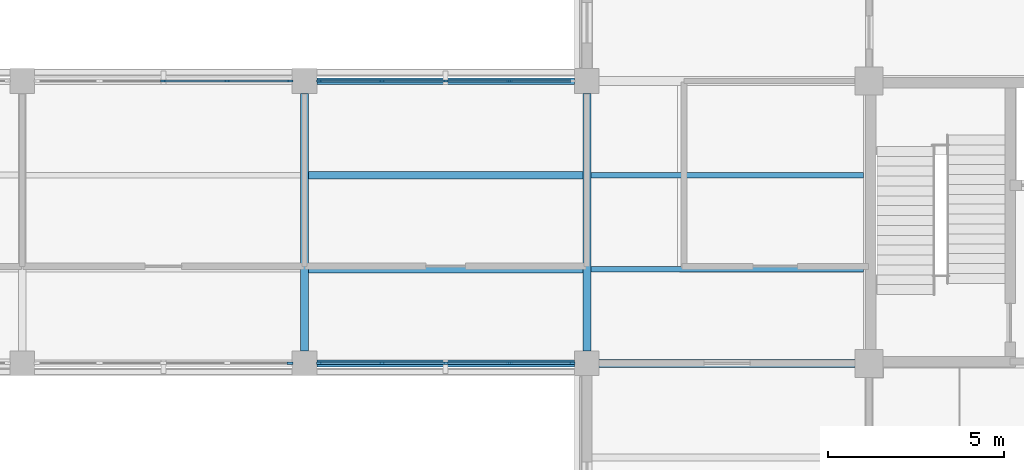
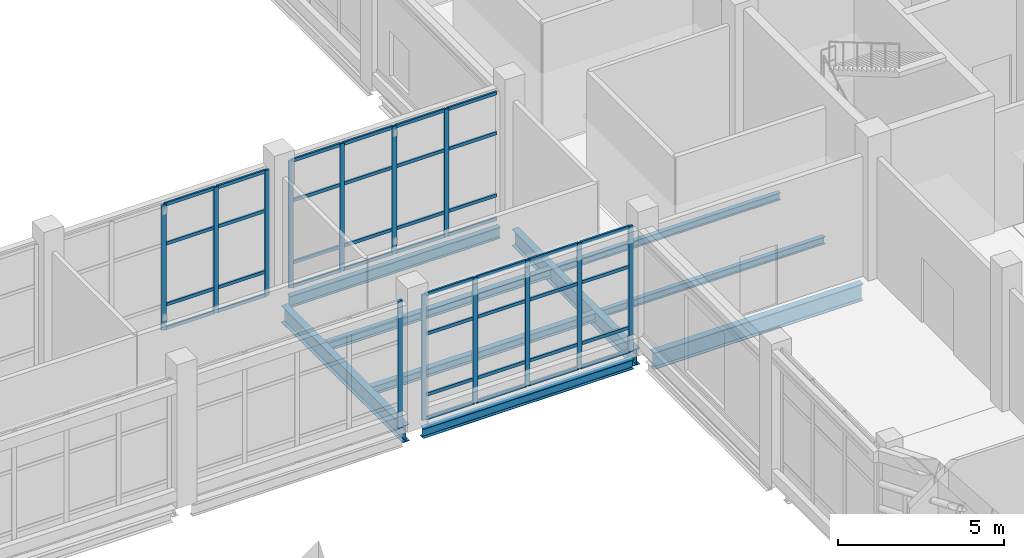
# One storey, part 16 of 105: 53 members, 9 beams, 4 elements without a shape of their own.
"""IFC4 building model written with IfcOpenShell, lengths in metres."""

from ifc_helpers import new_model, si_unit, derived_unit, direction, frame, origin, origin_2d, place, context, subcontext, project, spatial, rectangle, i_section, extrude, material, layer, layer_set, material_profile, profile_set, type_object, element, aggregate, save


model = new_model("IFC4")

# Units and contexts
model_context = context("Model", 3, precision=1e-05, world=origin(), true_north=direction((0.0, 1.0)))
body_context = subcontext(model_context, "Body", "Model", "MODEL_VIEW")
ifc_project = project(units=[si_unit("LENGTHUNIT", "METRE"), si_unit("AREAUNIT", "SQUARE_METRE"), si_unit("VOLUMEUNIT", "CUBIC_METRE"), si_unit("PLANEANGLEUNIT", "RADIAN"), si_unit("MASSUNIT", "GRAM", prefix="KILO"), derived_unit("THERMALTRANSMITTANCEUNIT", [(si_unit("MASSUNIT", "GRAM", prefix="KILO"), 1), (si_unit("TIMEUNIT", "SECOND"), -3), (si_unit("THERMODYNAMICTEMPERATUREUNIT", "KELVIN"), -1)])], contexts=[model_context])

# Site, building, storey
site_placement = place(None, origin())
site = spatial("IfcSite", under=ifc_project, at=site_placement, CompositionType="ELEMENT")
building_placement = place(site_placement, origin())
building = spatial("IfcBuilding", under=site, at=building_placement, Name="Veyamyaing Civic Hall", CompositionType="ELEMENT")
storey_placement = place(building_placement, origin())
storey = spatial("IfcBuildingStorey", under=building, at=storey_placement, Name="L00", CompositionType="ELEMENT", Elevation=0.0)

# Beams
ifc_material_1 = material(Name="Steel ASTM A992", Category="steel")
ifc_material_profile_1 = material_profile(ifc_material_1, i_section(OverallWidth=0.22998046875, OverallDepth=0.616943359375, WebThickness=0.01318359375, FlangeThickness=0.022216796875, FilletRadius=0.012939453125, at=origin_2d()), Name="W610X140")
ifc_profile_set_1 = profile_set([ifc_material_profile_1], Name="Steel ASTM A992")
beam_type_1 = type_object("IfcBeamType", Name="B-05", PredefinedType="BEAM", material=ifc_profile_set_1)
beam_1_placement = place(storey_placement, frame((56.35009765625, 48.0, -0.573486328125), z_axis=(1.0, 0.0, 0.0), x_axis=(0.0, 1.0, 0.0)))
element("IfcBeam", 1, at=beam_1_placement, inside=storey, type_object=beam_type_1, Name="Girder B-05 L00 Grid G 8-9", PredefinedType="BEAM", context=body_context, shape_type="SweptSolid", body=[
    extrude(i_section(OverallWidth=0.22998046875, OverallDepth=0.616943359375, WebThickness=0.01318359375, FlangeThickness=0.022216796875, FilletRadius=0.012939453125, at=origin_2d()), origin(), (0.0, 0.0, 1.0), 7.25),
])
beam_2_placement = place(storey_placement, frame((48.0, 48.35009765625, -0.573486328125), z_axis=(0.0, 1.0, 0.0), x_axis=(-1.0, 0.0, 0.0)))
element("IfcBeam", 2, at=beam_2_placement, inside=storey, type_object=beam_type_1, Name="Girder B-05 L00 Grid 7 G-H", PredefinedType="BEAM", context=body_context, shape_type="SweptSolid", body=[
    extrude(i_section(OverallWidth=0.22998046875, OverallDepth=0.616943359375, WebThickness=0.01318359375, FlangeThickness=0.022216796875, FilletRadius=0.012939453125, at=origin_2d()), origin(), (0.0, 0.0, 1.0), 7.2998046875),
])
ifc_material_profile_2 = material_profile(ifc_material_1, i_section(OverallWidth=0.22802734375, OverallDepth=0.60791015625, WebThickness=0.01123046875, FlangeThickness=0.017333984375, FilletRadius=0.012939453125, at=origin_2d()), Name="W610X113")
ifc_profile_set_2 = profile_set([ifc_material_profile_2], Name="Steel ASTM A992")
beam_type_2 = type_object("IfcBeamType", Name="B-06", PredefinedType="BEAM", material=ifc_profile_set_2)
beam_3_placement = place(storey_placement, frame((56.0, 48.35009765625, -0.569091796875), z_axis=(0.0, 1.0, 0.0), x_axis=(-1.0, 0.0, 0.0)))
element("IfcBeam", 3, at=beam_3_placement, inside=storey, type_object=beam_type_2, Name="Girder B-06 L00 Grid 8 G-H", PredefinedType="BEAM", context=body_context, shape_type="SweptSolid", body=[
    extrude(i_section(OverallWidth=0.22802734375, OverallDepth=0.60791015625, WebThickness=0.01123046875, FlangeThickness=0.017333984375, FilletRadius=0.012939453125, at=origin_2d()), origin(), (0.0, 0.0, 1.0), 7.2998046875),
])
ifc_material_profile_3 = material_profile(ifc_material_1, i_section(OverallWidth=0.2041015625, OverallDepth=0.35009765625, WebThickness=0.0078125, FlangeThickness=0.01513671875, FilletRadius=0.010009765625, at=origin_2d()), Name="W360X72")
ifc_profile_set_3 = profile_set([ifc_material_profile_3], Name="Steel ASTM A992")
beam_type_3 = type_object("IfcBeamType", Name="B-11", PredefinedType="SPANDREL", material=ifc_profile_set_3)
beam_4_placement = place(storey_placement, frame((48.35009765625, 48.0, -0.43994140625), z_axis=(1.0, 0.0, 0.0), x_axis=(0.0, 1.0, 0.0)))
element("IfcBeam", 4, at=beam_4_placement, inside=storey, type_object=beam_type_3, Name="Girder B-11 L00 Grid G 7-8", PredefinedType="SPANDREL", context=body_context, shape_type="SweptSolid", body=[
    extrude(i_section(OverallWidth=0.2041015625, OverallDepth=0.35009765625, WebThickness=0.0078125, FlangeThickness=0.01513671875, FilletRadius=0.010009765625, at=origin_2d()), origin(), (0.0, 0.0, 1.0), 7.2998046875),
])
ifc_material_profile_4 = material_profile(ifc_material_1, i_section(OverallWidth=0.180908203125, OverallDepth=0.4169921875, WebThickness=0.010986328125, FlangeThickness=0.018310546875, FilletRadius=0.010009765625, at=origin_2d()), Name="W410X85")
ifc_profile_set_4 = profile_set([ifc_material_profile_4], Name="Steel ASTM A992")
beam_type_4 = type_object("IfcBeamType", Name="B-19", PredefinedType="SPANDREL", material=ifc_profile_set_4)
beam_5_placement = place(storey_placement, frame((48.35009765625, 56.0, -0.473388671875), z_axis=(1.0, 0.0, 0.0), x_axis=(0.0, 1.0, 0.0)))
element("IfcBeam", 5, at=beam_5_placement, inside=storey, type_object=beam_type_4, Name="Girder B-19 L00 Grid H 7-8", PredefinedType="SPANDREL", context=body_context, shape_type="SweptSolid", body=[
    extrude(i_section(OverallWidth=0.180908203125, OverallDepth=0.4169921875, WebThickness=0.010986328125, FlangeThickness=0.018310546875, FilletRadius=0.010009765625, at=origin_2d()), origin(), (0.0, 0.0, 1.0), 7.2998046875),
])

# Curtain wall, member
ifc_material_2 = material(Name="Anodised aluminium 6063-T6", Category="aluminium")
ifc_layer = layer(ifc_material_2, 0.159912109375, Name="Anodised aluminium 6063-T6")
ifc_layer_set = layer_set([ifc_layer], Name="Anodised aluminium 6063-T6")
curtain_wall_type = type_object("IfcCurtainWallType", Name="CW-01", PredefinedType="NOTDEFINED", material=ifc_layer_set)
curtain_wall_1_placement = place(storey_placement, origin())
curtain_wall_1 = element("IfcCurtainWall", 6, at=curtain_wall_1_placement, inside=storey, type_object=curtain_wall_type, Name="Unitized curtain wall CW-01 L00 S 6.7", PredefinedType="NOTDEFINED")
ifc_material_profile_5 = material_profile(ifc_material_2, rectangle(XDim=0.06494140625, YDim=0.159912109375, at=origin_2d()), Name="ALU-MUL-65X160")
ifc_profile_set_5 = profile_set([ifc_material_profile_5], Name="Anodised aluminium 6063-T6")
member_type_1 = type_object("IfcMemberType", Name="CWM-01", PredefinedType="MULLION", material=ifc_profile_set_5)
member_1_placement = place(storey_placement, frame((47.58740234375, 48.0, 0.0), z_axis=(0.0, 0.0, 1.0), x_axis=(0.0, 1.0, 0.0)))
member_1 = element("IfcMember", 7, at=member_1_placement, type_object=member_type_1, Name="CW-01 mullion 5", PredefinedType="MULLION", context=body_context, shape_type="SweptSolid", body=[
    extrude(rectangle(XDim=0.06494140625, YDim=0.159912109375, at=origin_2d()), origin(), (0.0, 0.0, 1.0), 4.677001953125),
])
aggregate(curtain_wall_1, [member_1])

# Curtain wall, members
curtain_wall_2_placement = place(storey_placement, origin())
curtain_wall_2 = element("IfcCurtainWall", 8, at=curtain_wall_2_placement, inside=storey, type_object=curtain_wall_type, Name="Unitized curtain wall CW-01 L00 N 6.7", PredefinedType="NOTDEFINED")
member_2_placement = place(storey_placement, frame((44.0, 56.0, 0.0), z_axis=(0.0, 0.0, 1.0), x_axis=(0.0, 1.0, 0.0)))
member_2 = element("IfcMember", 9, at=member_2_placement, type_object=member_type_1, Name="CW-01 mullion 3", PredefinedType="MULLION", context=body_context, shape_type="SweptSolid", body=[
    extrude(rectangle(XDim=0.06494140625, YDim=0.159912109375, at=origin_2d()), origin(), (0.0, 0.0, 1.0), 4.610107421875),
])
member_3_placement = place(storey_placement, frame((45.81005859375, 56.0, 0.0), z_axis=(0.0, 0.0, 1.0), x_axis=(0.0, 1.0, 0.0)))
member_3 = element("IfcMember", 10, at=member_3_placement, type_object=member_type_1, Name="CW-01 mullion 4", PredefinedType="MULLION", context=body_context, shape_type="SweptSolid", body=[
    extrude(rectangle(XDim=0.06494140625, YDim=0.159912109375, at=origin_2d()), origin(), (0.0, 0.0, 1.0), 4.610107421875),
])
member_4_placement = place(storey_placement, frame((47.58740234375, 56.0, 0.0), z_axis=(0.0, 0.0, 1.0), x_axis=(0.0, 1.0, 0.0)))
member_4 = element("IfcMember", 11, at=member_4_placement, type_object=member_type_1, Name="CW-01 mullion 5", PredefinedType="MULLION", context=body_context, shape_type="SweptSolid", body=[
    extrude(rectangle(XDim=0.06494140625, YDim=0.159912109375, at=origin_2d()), origin(), (0.0, 0.0, 1.0), 4.610107421875),
])

curtain_wall_3_placement = place(storey_placement, origin())
curtain_wall_3 = element("IfcCurtainWall", 12, at=curtain_wall_3_placement, inside=storey, type_object=curtain_wall_type, Name="Unitized curtain wall CW-01 L00 S 7.7", PredefinedType="NOTDEFINED")
member_5_placement = place(storey_placement, frame((48.41259765625, 48.0, 0.0), z_axis=(0.0, 0.0, 1.0), x_axis=(0.0, 1.0, 0.0)))
member_5 = element("IfcMember", 13, at=member_5_placement, type_object=member_type_1, Name="CW-01 mullion 1", PredefinedType="MULLION", context=body_context, shape_type="SweptSolid", body=[
    extrude(rectangle(XDim=0.06494140625, YDim=0.159912109375, at=origin_2d()), origin(), (0.0, 0.0, 1.0), 4.610107421875),
])
member_6_placement = place(storey_placement, frame((50.18994140625, 48.0, 0.0), z_axis=(0.0, 0.0, 1.0), x_axis=(0.0, 1.0, 0.0)))
member_6 = element("IfcMember", 14, at=member_6_placement, type_object=member_type_1, Name="CW-01 mullion 2", PredefinedType="MULLION", context=body_context, shape_type="SweptSolid", body=[
    extrude(rectangle(XDim=0.06494140625, YDim=0.159912109375, at=origin_2d()), origin(), (0.0, 0.0, 1.0), 4.610107421875),
])
member_7_placement = place(storey_placement, frame((52.0, 48.0, 0.0), z_axis=(0.0, 0.0, 1.0), x_axis=(0.0, 1.0, 0.0)))
member_7 = element("IfcMember", 15, at=member_7_placement, type_object=member_type_1, Name="CW-01 mullion 3", PredefinedType="MULLION", context=body_context, shape_type="SweptSolid", body=[
    extrude(rectangle(XDim=0.06494140625, YDim=0.159912109375, at=origin_2d()), origin(), (0.0, 0.0, 1.0), 4.610107421875),
])
member_8_placement = place(storey_placement, frame((53.81005859375, 48.0, 0.0), z_axis=(0.0, 0.0, 1.0), x_axis=(0.0, 1.0, 0.0)))
member_8 = element("IfcMember", 16, at=member_8_placement, type_object=member_type_1, Name="CW-01 mullion 4", PredefinedType="MULLION", context=body_context, shape_type="SweptSolid", body=[
    extrude(rectangle(XDim=0.06494140625, YDim=0.159912109375, at=origin_2d()), origin(), (0.0, 0.0, 1.0), 4.610107421875),
])
member_9_placement = place(storey_placement, frame((55.58740234375, 48.0, 0.0), z_axis=(0.0, 0.0, 1.0), x_axis=(0.0, 1.0, 0.0)))
member_9 = element("IfcMember", 17, at=member_9_placement, type_object=member_type_1, Name="CW-01 mullion 5", PredefinedType="MULLION", context=body_context, shape_type="SweptSolid", body=[
    extrude(rectangle(XDim=0.06494140625, YDim=0.159912109375, at=origin_2d()), origin(), (0.0, 0.0, 1.0), 4.610107421875),
])

curtain_wall_4_placement = place(storey_placement, origin())
curtain_wall_4 = element("IfcCurtainWall", 18, at=curtain_wall_4_placement, inside=storey, type_object=curtain_wall_type, Name="Unitized curtain wall CW-01 L00 N 7.7", PredefinedType="NOTDEFINED")
member_10_placement = place(storey_placement, frame((48.41259765625, 56.0, 0.0), z_axis=(0.0, 0.0, 1.0), x_axis=(0.0, 1.0, 0.0)))
member_10 = element("IfcMember", 19, at=member_10_placement, type_object=member_type_1, Name="CW-01 mullion 1", PredefinedType="MULLION", context=body_context, shape_type="SweptSolid", body=[
    extrude(rectangle(XDim=0.06494140625, YDim=0.159912109375, at=origin_2d()), origin(), (0.0, 0.0, 1.0), 4.674072265625),
])
member_11_placement = place(storey_placement, frame((50.18994140625, 56.0, 0.0), z_axis=(0.0, 0.0, 1.0), x_axis=(0.0, 1.0, 0.0)))
member_11 = element("IfcMember", 20, at=member_11_placement, type_object=member_type_1, Name="CW-01 mullion 2", PredefinedType="MULLION", context=body_context, shape_type="SweptSolid", body=[
    extrude(rectangle(XDim=0.06494140625, YDim=0.159912109375, at=origin_2d()), origin(), (0.0, 0.0, 1.0), 4.674072265625),
])
member_12_placement = place(storey_placement, frame((52.0, 56.0, 0.0), z_axis=(0.0, 0.0, 1.0), x_axis=(0.0, 1.0, 0.0)))
member_12 = element("IfcMember", 21, at=member_12_placement, type_object=member_type_1, Name="CW-01 mullion 3", PredefinedType="MULLION", context=body_context, shape_type="SweptSolid", body=[
    extrude(rectangle(XDim=0.06494140625, YDim=0.159912109375, at=origin_2d()), origin(), (0.0, 0.0, 1.0), 4.674072265625),
])
member_13_placement = place(storey_placement, frame((53.81005859375, 56.0, 0.0), z_axis=(0.0, 0.0, 1.0), x_axis=(0.0, 1.0, 0.0)))
member_13 = element("IfcMember", 22, at=member_13_placement, type_object=member_type_1, Name="CW-01 mullion 4", PredefinedType="MULLION", context=body_context, shape_type="SweptSolid", body=[
    extrude(rectangle(XDim=0.06494140625, YDim=0.159912109375, at=origin_2d()), origin(), (0.0, 0.0, 1.0), 4.674072265625),
])

# Member
ifc_material_profile_6 = material_profile(ifc_material_2, rectangle(XDim=0.06494140625, YDim=0.1201171875, at=origin_2d()), Name="ALU-TRN-65X120")
ifc_profile_set_6 = profile_set([ifc_material_profile_6], Name="Anodised aluminium 6063-T6")
member_type_2 = type_object("IfcMemberType", Name="CWT-01", PredefinedType="USERDEFINED", material=ifc_profile_set_6)
member_14_placement = place(storey_placement, frame((44.032470703125, 56.0, 0.032470703125), z_axis=(1.0, 0.0, 0.0), x_axis=(0.0, 1.0, 0.0)))
member_14 = element("IfcMember", 23, at=member_14_placement, type_object=member_type_2, Name="CW-01 transom 3.1", ObjectType="TRANSOM", PredefinedType="USERDEFINED", context=body_context, shape_type="SweptSolid", body=[
    extrude(rectangle(XDim=0.06494140625, YDim=0.1201171875, at=origin_2d()), origin(), (0.0, 0.0, 1.0), 1.7451171875),
])

member_15_placement = place(storey_placement, frame((44.032470703125, 56.0, 0.89990234375), z_axis=(1.0, 0.0, 0.0), x_axis=(0.0, 1.0, 0.0)))
member_15 = element("IfcMember", 24, at=member_15_placement, type_object=member_type_2, Name="CW-01 transom 3.2", ObjectType="TRANSOM", PredefinedType="USERDEFINED", context=body_context, shape_type="SweptSolid", body=[
    extrude(rectangle(XDim=0.06494140625, YDim=0.1201171875, at=origin_2d()), origin(), (0.0, 0.0, 1.0), 1.7451171875),
])

member_16_placement = place(storey_placement, frame((44.032470703125, 56.0, 3.134765625), z_axis=(1.0, 0.0, 0.0), x_axis=(0.0, 1.0, 0.0)))
member_16 = element("IfcMember", 25, at=member_16_placement, type_object=member_type_2, Name="CW-01 transom 3.3", ObjectType="TRANSOM", PredefinedType="USERDEFINED", context=body_context, shape_type="SweptSolid", body=[
    extrude(rectangle(XDim=0.06494140625, YDim=0.1201171875, at=origin_2d()), origin(), (0.0, 0.0, 1.0), 1.7451171875),
])

member_17_placement = place(storey_placement, frame((44.032470703125, 56.0, 4.577392578125), z_axis=(1.0, 0.0, 0.0), x_axis=(0.0, 1.0, 0.0)))
member_17 = element("IfcMember", 26, at=member_17_placement, type_object=member_type_2, Name="CW-01 transom 3.4", ObjectType="TRANSOM", PredefinedType="USERDEFINED", context=body_context, shape_type="SweptSolid", body=[
    extrude(rectangle(XDim=0.06494140625, YDim=0.1201171875, at=origin_2d()), origin(), (0.0, 0.0, 1.0), 1.7451171875),
])

member_18_placement = place(storey_placement, frame((45.842529296875, 56.0, 0.032470703125), z_axis=(1.0, 0.0, 0.0), x_axis=(0.0, 1.0, 0.0)))
member_18 = element("IfcMember", 27, at=member_18_placement, type_object=member_type_2, Name="CW-01 transom 4.1", ObjectType="TRANSOM", PredefinedType="USERDEFINED", context=body_context, shape_type="SweptSolid", body=[
    extrude(rectangle(XDim=0.06494140625, YDim=0.1201171875, at=origin_2d()), origin(), (0.0, 0.0, 1.0), 1.71240234375),
])

member_19_placement = place(storey_placement, frame((45.842529296875, 56.0, 0.89990234375), z_axis=(1.0, 0.0, 0.0), x_axis=(0.0, 1.0, 0.0)))
member_19 = element("IfcMember", 28, at=member_19_placement, type_object=member_type_2, Name="CW-01 transom 4.2", ObjectType="TRANSOM", PredefinedType="USERDEFINED", context=body_context, shape_type="SweptSolid", body=[
    extrude(rectangle(XDim=0.06494140625, YDim=0.1201171875, at=origin_2d()), origin(), (0.0, 0.0, 1.0), 1.71240234375),
])

member_20_placement = place(storey_placement, frame((45.842529296875, 56.0, 3.134765625), z_axis=(1.0, 0.0, 0.0), x_axis=(0.0, 1.0, 0.0)))
member_20 = element("IfcMember", 29, at=member_20_placement, type_object=member_type_2, Name="CW-01 transom 4.3", ObjectType="TRANSOM", PredefinedType="USERDEFINED", context=body_context, shape_type="SweptSolid", body=[
    extrude(rectangle(XDim=0.06494140625, YDim=0.1201171875, at=origin_2d()), origin(), (0.0, 0.0, 1.0), 1.71240234375),
])

member_21_placement = place(storey_placement, frame((45.842529296875, 56.0, 4.577392578125), z_axis=(1.0, 0.0, 0.0), x_axis=(0.0, 1.0, 0.0)))
member_21 = element("IfcMember", 30, at=member_21_placement, type_object=member_type_2, Name="CW-01 transom 4.4", ObjectType="TRANSOM", PredefinedType="USERDEFINED", context=body_context, shape_type="SweptSolid", body=[
    extrude(rectangle(XDim=0.06494140625, YDim=0.1201171875, at=origin_2d()), origin(), (0.0, 0.0, 1.0), 1.71240234375),
])

aggregate(curtain_wall_2, [member_2, member_3, member_4, member_14, member_15, member_16, member_17, member_18, member_19, member_20, member_21])

member_22_placement = place(storey_placement, frame((48.445068359375, 48.0, 0.032470703125), z_axis=(1.0, 0.0, 0.0), x_axis=(0.0, 1.0, 0.0)))
member_22 = element("IfcMember", 31, at=member_22_placement, type_object=member_type_2, Name="CW-01 transom 1.1", ObjectType="TRANSOM", PredefinedType="USERDEFINED", context=body_context, shape_type="SweptSolid", body=[
    extrude(rectangle(XDim=0.06494140625, YDim=0.1201171875, at=origin_2d()), origin(), (0.0, 0.0, 1.0), 1.71240234375),
])

member_23_placement = place(storey_placement, frame((48.445068359375, 48.0, 0.89990234375), z_axis=(1.0, 0.0, 0.0), x_axis=(0.0, 1.0, 0.0)))
member_23 = element("IfcMember", 32, at=member_23_placement, type_object=member_type_2, Name="CW-01 transom 1.2", ObjectType="TRANSOM", PredefinedType="USERDEFINED", context=body_context, shape_type="SweptSolid", body=[
    extrude(rectangle(XDim=0.06494140625, YDim=0.1201171875, at=origin_2d()), origin(), (0.0, 0.0, 1.0), 1.71240234375),
])

member_24_placement = place(storey_placement, frame((48.445068359375, 48.0, 3.134765625), z_axis=(1.0, 0.0, 0.0), x_axis=(0.0, 1.0, 0.0)))
member_24 = element("IfcMember", 33, at=member_24_placement, type_object=member_type_2, Name="CW-01 transom 1.3", ObjectType="TRANSOM", PredefinedType="USERDEFINED", context=body_context, shape_type="SweptSolid", body=[
    extrude(rectangle(XDim=0.06494140625, YDim=0.1201171875, at=origin_2d()), origin(), (0.0, 0.0, 1.0), 1.71240234375),
])

member_25_placement = place(storey_placement, frame((48.445068359375, 48.0, 4.577392578125), z_axis=(1.0, 0.0, 0.0), x_axis=(0.0, 1.0, 0.0)))
member_25 = element("IfcMember", 34, at=member_25_placement, type_object=member_type_2, Name="CW-01 transom 1.4", ObjectType="TRANSOM", PredefinedType="USERDEFINED", context=body_context, shape_type="SweptSolid", body=[
    extrude(rectangle(XDim=0.06494140625, YDim=0.1201171875, at=origin_2d()), origin(), (0.0, 0.0, 1.0), 1.71240234375),
])

member_26_placement = place(storey_placement, frame((50.222412109375, 48.0, 0.032470703125), z_axis=(1.0, 0.0, 0.0), x_axis=(0.0, 1.0, 0.0)))
member_26 = element("IfcMember", 35, at=member_26_placement, type_object=member_type_2, Name="CW-01 transom 2.1", ObjectType="TRANSOM", PredefinedType="USERDEFINED", context=body_context, shape_type="SweptSolid", body=[
    extrude(rectangle(XDim=0.06494140625, YDim=0.1201171875, at=origin_2d()), origin(), (0.0, 0.0, 1.0), 1.7451171875),
])

member_27_placement = place(storey_placement, frame((50.222412109375, 48.0, 0.89990234375), z_axis=(1.0, 0.0, 0.0), x_axis=(0.0, 1.0, 0.0)))
member_27 = element("IfcMember", 36, at=member_27_placement, type_object=member_type_2, Name="CW-01 transom 2.2", ObjectType="TRANSOM", PredefinedType="USERDEFINED", context=body_context, shape_type="SweptSolid", body=[
    extrude(rectangle(XDim=0.06494140625, YDim=0.1201171875, at=origin_2d()), origin(), (0.0, 0.0, 1.0), 1.7451171875),
])

member_28_placement = place(storey_placement, frame((50.222412109375, 48.0, 3.134765625), z_axis=(1.0, 0.0, 0.0), x_axis=(0.0, 1.0, 0.0)))
member_28 = element("IfcMember", 37, at=member_28_placement, type_object=member_type_2, Name="CW-01 transom 2.3", ObjectType="TRANSOM", PredefinedType="USERDEFINED", context=body_context, shape_type="SweptSolid", body=[
    extrude(rectangle(XDim=0.06494140625, YDim=0.1201171875, at=origin_2d()), origin(), (0.0, 0.0, 1.0), 1.7451171875),
])

member_29_placement = place(storey_placement, frame((50.222412109375, 48.0, 4.577392578125), z_axis=(1.0, 0.0, 0.0), x_axis=(0.0, 1.0, 0.0)))
member_29 = element("IfcMember", 38, at=member_29_placement, type_object=member_type_2, Name="CW-01 transom 2.4", ObjectType="TRANSOM", PredefinedType="USERDEFINED", context=body_context, shape_type="SweptSolid", body=[
    extrude(rectangle(XDim=0.06494140625, YDim=0.1201171875, at=origin_2d()), origin(), (0.0, 0.0, 1.0), 1.7451171875),
])

member_30_placement = place(storey_placement, frame((52.032470703125, 48.0, 0.032470703125), z_axis=(1.0, 0.0, 0.0), x_axis=(0.0, 1.0, 0.0)))
member_30 = element("IfcMember", 39, at=member_30_placement, type_object=member_type_2, Name="CW-01 transom 3.1", ObjectType="TRANSOM", PredefinedType="USERDEFINED", context=body_context, shape_type="SweptSolid", body=[
    extrude(rectangle(XDim=0.06494140625, YDim=0.1201171875, at=origin_2d()), origin(), (0.0, 0.0, 1.0), 1.7451171875),
])

member_31_placement = place(storey_placement, frame((52.032470703125, 48.0, 0.89990234375), z_axis=(1.0, 0.0, 0.0), x_axis=(0.0, 1.0, 0.0)))
member_31 = element("IfcMember", 40, at=member_31_placement, type_object=member_type_2, Name="CW-01 transom 3.2", ObjectType="TRANSOM", PredefinedType="USERDEFINED", context=body_context, shape_type="SweptSolid", body=[
    extrude(rectangle(XDim=0.06494140625, YDim=0.1201171875, at=origin_2d()), origin(), (0.0, 0.0, 1.0), 1.7451171875),
])

member_32_placement = place(storey_placement, frame((52.032470703125, 48.0, 3.134765625), z_axis=(1.0, 0.0, 0.0), x_axis=(0.0, 1.0, 0.0)))
member_32 = element("IfcMember", 41, at=member_32_placement, type_object=member_type_2, Name="CW-01 transom 3.3", ObjectType="TRANSOM", PredefinedType="USERDEFINED", context=body_context, shape_type="SweptSolid", body=[
    extrude(rectangle(XDim=0.06494140625, YDim=0.1201171875, at=origin_2d()), origin(), (0.0, 0.0, 1.0), 1.7451171875),
])

member_33_placement = place(storey_placement, frame((52.032470703125, 48.0, 4.577392578125), z_axis=(1.0, 0.0, 0.0), x_axis=(0.0, 1.0, 0.0)))
member_33 = element("IfcMember", 42, at=member_33_placement, type_object=member_type_2, Name="CW-01 transom 3.4", ObjectType="TRANSOM", PredefinedType="USERDEFINED", context=body_context, shape_type="SweptSolid", body=[
    extrude(rectangle(XDim=0.06494140625, YDim=0.1201171875, at=origin_2d()), origin(), (0.0, 0.0, 1.0), 1.7451171875),
])

member_34_placement = place(storey_placement, frame((53.842529296875, 48.0, 0.032470703125), z_axis=(1.0, 0.0, 0.0), x_axis=(0.0, 1.0, 0.0)))
member_34 = element("IfcMember", 43, at=member_34_placement, type_object=member_type_2, Name="CW-01 transom 4.1", ObjectType="TRANSOM", PredefinedType="USERDEFINED", context=body_context, shape_type="SweptSolid", body=[
    extrude(rectangle(XDim=0.06494140625, YDim=0.1201171875, at=origin_2d()), origin(), (0.0, 0.0, 1.0), 1.71240234375),
])

member_35_placement = place(storey_placement, frame((53.842529296875, 48.0, 0.89990234375), z_axis=(1.0, 0.0, 0.0), x_axis=(0.0, 1.0, 0.0)))
member_35 = element("IfcMember", 44, at=member_35_placement, type_object=member_type_2, Name="CW-01 transom 4.2", ObjectType="TRANSOM", PredefinedType="USERDEFINED", context=body_context, shape_type="SweptSolid", body=[
    extrude(rectangle(XDim=0.06494140625, YDim=0.1201171875, at=origin_2d()), origin(), (0.0, 0.0, 1.0), 1.71240234375),
])

member_36_placement = place(storey_placement, frame((53.842529296875, 48.0, 3.134765625), z_axis=(1.0, 0.0, 0.0), x_axis=(0.0, 1.0, 0.0)))
member_36 = element("IfcMember", 45, at=member_36_placement, type_object=member_type_2, Name="CW-01 transom 4.3", ObjectType="TRANSOM", PredefinedType="USERDEFINED", context=body_context, shape_type="SweptSolid", body=[
    extrude(rectangle(XDim=0.06494140625, YDim=0.1201171875, at=origin_2d()), origin(), (0.0, 0.0, 1.0), 1.71240234375),
])

member_37_placement = place(storey_placement, frame((53.842529296875, 48.0, 4.577392578125), z_axis=(1.0, 0.0, 0.0), x_axis=(0.0, 1.0, 0.0)))
member_37 = element("IfcMember", 46, at=member_37_placement, type_object=member_type_2, Name="CW-01 transom 4.4", ObjectType="TRANSOM", PredefinedType="USERDEFINED", context=body_context, shape_type="SweptSolid", body=[
    extrude(rectangle(XDim=0.06494140625, YDim=0.1201171875, at=origin_2d()), origin(), (0.0, 0.0, 1.0), 1.71240234375),
])

aggregate(curtain_wall_3, [member_5, member_6, member_7, member_8, member_9, member_22, member_23, member_24, member_25, member_26, member_27, member_28, member_29, member_30, member_31, member_32, member_33, member_34, member_35, member_36, member_37])

member_38_placement = place(storey_placement, frame((48.445068359375, 56.0, 0.032470703125), z_axis=(1.0, 0.0, 0.0), x_axis=(0.0, 1.0, 0.0)))
member_38 = element("IfcMember", 47, at=member_38_placement, type_object=member_type_2, Name="CW-01 transom 1.1", ObjectType="TRANSOM", PredefinedType="USERDEFINED", context=body_context, shape_type="SweptSolid", body=[
    extrude(rectangle(XDim=0.06494140625, YDim=0.1201171875, at=origin_2d()), origin(), (0.0, 0.0, 1.0), 1.71240234375),
])

member_39_placement = place(storey_placement, frame((48.445068359375, 56.0, 0.89990234375), z_axis=(1.0, 0.0, 0.0), x_axis=(0.0, 1.0, 0.0)))
member_39 = element("IfcMember", 48, at=member_39_placement, type_object=member_type_2, Name="CW-01 transom 1.2", ObjectType="TRANSOM", PredefinedType="USERDEFINED", context=body_context, shape_type="SweptSolid", body=[
    extrude(rectangle(XDim=0.06494140625, YDim=0.1201171875, at=origin_2d()), origin(), (0.0, 0.0, 1.0), 1.71240234375),
])

member_40_placement = place(storey_placement, frame((48.445068359375, 56.0, 3.17822265625), z_axis=(1.0, 0.0, 0.0), x_axis=(0.0, 1.0, 0.0)))
member_40 = element("IfcMember", 49, at=member_40_placement, type_object=member_type_2, Name="CW-01 transom 1.3", ObjectType="TRANSOM", PredefinedType="USERDEFINED", context=body_context, shape_type="SweptSolid", body=[
    extrude(rectangle(XDim=0.06494140625, YDim=0.1201171875, at=origin_2d()), origin(), (0.0, 0.0, 1.0), 1.71240234375),
])

member_41_placement = place(storey_placement, frame((48.445068359375, 56.0, 4.6416015625), z_axis=(1.0, 0.0, 0.0), x_axis=(0.0, 1.0, 0.0)))
member_41 = element("IfcMember", 50, at=member_41_placement, type_object=member_type_2, Name="CW-01 transom 1.4", ObjectType="TRANSOM", PredefinedType="USERDEFINED", context=body_context, shape_type="SweptSolid", body=[
    extrude(rectangle(XDim=0.06494140625, YDim=0.1201171875, at=origin_2d()), origin(), (0.0, 0.0, 1.0), 1.71240234375),
])

member_42_placement = place(storey_placement, frame((50.222412109375, 56.0, 0.032470703125), z_axis=(1.0, 0.0, 0.0), x_axis=(0.0, 1.0, 0.0)))
member_42 = element("IfcMember", 51, at=member_42_placement, type_object=member_type_2, Name="CW-01 transom 2.1", ObjectType="TRANSOM", PredefinedType="USERDEFINED", context=body_context, shape_type="SweptSolid", body=[
    extrude(rectangle(XDim=0.06494140625, YDim=0.1201171875, at=origin_2d()), origin(), (0.0, 0.0, 1.0), 1.7451171875),
])

member_43_placement = place(storey_placement, frame((50.222412109375, 56.0, 0.89990234375), z_axis=(1.0, 0.0, 0.0), x_axis=(0.0, 1.0, 0.0)))
member_43 = element("IfcMember", 52, at=member_43_placement, type_object=member_type_2, Name="CW-01 transom 2.2", ObjectType="TRANSOM", PredefinedType="USERDEFINED", context=body_context, shape_type="SweptSolid", body=[
    extrude(rectangle(XDim=0.06494140625, YDim=0.1201171875, at=origin_2d()), origin(), (0.0, 0.0, 1.0), 1.7451171875),
])

member_44_placement = place(storey_placement, frame((50.222412109375, 56.0, 3.17822265625), z_axis=(1.0, 0.0, 0.0), x_axis=(0.0, 1.0, 0.0)))
member_44 = element("IfcMember", 53, at=member_44_placement, type_object=member_type_2, Name="CW-01 transom 2.3", ObjectType="TRANSOM", PredefinedType="USERDEFINED", context=body_context, shape_type="SweptSolid", body=[
    extrude(rectangle(XDim=0.06494140625, YDim=0.1201171875, at=origin_2d()), origin(), (0.0, 0.0, 1.0), 1.7451171875),
])

member_45_placement = place(storey_placement, frame((50.222412109375, 56.0, 4.6416015625), z_axis=(1.0, 0.0, 0.0), x_axis=(0.0, 1.0, 0.0)))
member_45 = element("IfcMember", 54, at=member_45_placement, type_object=member_type_2, Name="CW-01 transom 2.4", ObjectType="TRANSOM", PredefinedType="USERDEFINED", context=body_context, shape_type="SweptSolid", body=[
    extrude(rectangle(XDim=0.06494140625, YDim=0.1201171875, at=origin_2d()), origin(), (0.0, 0.0, 1.0), 1.7451171875),
])

member_46_placement = place(storey_placement, frame((52.032470703125, 56.0, 0.032470703125), z_axis=(1.0, 0.0, 0.0), x_axis=(0.0, 1.0, 0.0)))
member_46 = element("IfcMember", 55, at=member_46_placement, type_object=member_type_2, Name="CW-01 transom 3.1", ObjectType="TRANSOM", PredefinedType="USERDEFINED", context=body_context, shape_type="SweptSolid", body=[
    extrude(rectangle(XDim=0.06494140625, YDim=0.1201171875, at=origin_2d()), origin(), (0.0, 0.0, 1.0), 1.7451171875),
])

member_47_placement = place(storey_placement, frame((52.032470703125, 56.0, 0.89990234375), z_axis=(1.0, 0.0, 0.0), x_axis=(0.0, 1.0, 0.0)))
member_47 = element("IfcMember", 56, at=member_47_placement, type_object=member_type_2, Name="CW-01 transom 3.2", ObjectType="TRANSOM", PredefinedType="USERDEFINED", context=body_context, shape_type="SweptSolid", body=[
    extrude(rectangle(XDim=0.06494140625, YDim=0.1201171875, at=origin_2d()), origin(), (0.0, 0.0, 1.0), 1.7451171875),
])

member_48_placement = place(storey_placement, frame((52.032470703125, 56.0, 3.17822265625), z_axis=(1.0, 0.0, 0.0), x_axis=(0.0, 1.0, 0.0)))
member_48 = element("IfcMember", 57, at=member_48_placement, type_object=member_type_2, Name="CW-01 transom 3.3", ObjectType="TRANSOM", PredefinedType="USERDEFINED", context=body_context, shape_type="SweptSolid", body=[
    extrude(rectangle(XDim=0.06494140625, YDim=0.1201171875, at=origin_2d()), origin(), (0.0, 0.0, 1.0), 1.7451171875),
])

member_49_placement = place(storey_placement, frame((52.032470703125, 56.0, 4.6416015625), z_axis=(1.0, 0.0, 0.0), x_axis=(0.0, 1.0, 0.0)))
member_49 = element("IfcMember", 58, at=member_49_placement, type_object=member_type_2, Name="CW-01 transom 3.4", ObjectType="TRANSOM", PredefinedType="USERDEFINED", context=body_context, shape_type="SweptSolid", body=[
    extrude(rectangle(XDim=0.06494140625, YDim=0.1201171875, at=origin_2d()), origin(), (0.0, 0.0, 1.0), 1.7451171875),
])

member_50_placement = place(storey_placement, frame((53.842529296875, 56.0, 0.032470703125), z_axis=(1.0, 0.0, 0.0), x_axis=(0.0, 1.0, 0.0)))
member_50 = element("IfcMember", 59, at=member_50_placement, type_object=member_type_2, Name="CW-01 transom 4.1", ObjectType="TRANSOM", PredefinedType="USERDEFINED", context=body_context, shape_type="SweptSolid", body=[
    extrude(rectangle(XDim=0.06494140625, YDim=0.1201171875, at=origin_2d()), origin(), (0.0, 0.0, 1.0), 1.71240234375),
])

member_51_placement = place(storey_placement, frame((53.842529296875, 56.0, 0.89990234375), z_axis=(1.0, 0.0, 0.0), x_axis=(0.0, 1.0, 0.0)))
member_51 = element("IfcMember", 60, at=member_51_placement, type_object=member_type_2, Name="CW-01 transom 4.2", ObjectType="TRANSOM", PredefinedType="USERDEFINED", context=body_context, shape_type="SweptSolid", body=[
    extrude(rectangle(XDim=0.06494140625, YDim=0.1201171875, at=origin_2d()), origin(), (0.0, 0.0, 1.0), 1.71240234375),
])

member_52_placement = place(storey_placement, frame((53.842529296875, 56.0, 3.17822265625), z_axis=(1.0, 0.0, 0.0), x_axis=(0.0, 1.0, 0.0)))
member_52 = element("IfcMember", 61, at=member_52_placement, type_object=member_type_2, Name="CW-01 transom 4.3", ObjectType="TRANSOM", PredefinedType="USERDEFINED", context=body_context, shape_type="SweptSolid", body=[
    extrude(rectangle(XDim=0.06494140625, YDim=0.1201171875, at=origin_2d()), origin(), (0.0, 0.0, 1.0), 1.71240234375),
])

member_53_placement = place(storey_placement, frame((53.842529296875, 56.0, 4.6416015625), z_axis=(1.0, 0.0, 0.0), x_axis=(0.0, 1.0, 0.0)))
member_53 = element("IfcMember", 62, at=member_53_placement, type_object=member_type_2, Name="CW-01 transom 4.4", ObjectType="TRANSOM", PredefinedType="USERDEFINED", context=body_context, shape_type="SweptSolid", body=[
    extrude(rectangle(XDim=0.06494140625, YDim=0.1201171875, at=origin_2d()), origin(), (0.0, 0.0, 1.0), 1.71240234375),
])

aggregate(curtain_wall_4, [member_10, member_11, member_12, member_13, member_38, member_39, member_40, member_41, member_42, member_43, member_44, member_45, member_46, member_47, member_48, member_49, member_50, member_51, member_52, member_53])

# Beams
ifc_material_profile_7 = material_profile(ifc_material_1, i_section(OverallWidth=0.2041015625, OverallDepth=0.305908203125, WebThickness=0.008544921875, FlangeThickness=0.0146484375, FilletRadius=0.010009765625, at=origin_2d()), Name="W310X67")
ifc_profile_set_7 = profile_set([ifc_material_profile_7], Name="Steel ASTM A992")
beam_type_5 = type_object("IfcBeamType", Name="J-06", PredefinedType="JOIST", material=ifc_profile_set_7)
for number, where, z_axis, x_axis, name in (
    (63, (48.113037109375, 50.666748046875, -0.41796875), (1.0, 0.0, 0.0), (0.0, 1.0, 0.0), "Composite floor joist J-06 L00 7.7.1"),
    (64, (48.113037109375, 53.333251953125, -0.41796875), (1.0, 0.0, 0.0), (0.0, 1.0, 0.0), "Composite floor joist J-06 L00 7.7.2"),
):
    element("IfcBeam", number, at=place(storey_placement, frame(where, z_axis=z_axis, x_axis=x_axis)), inside=storey, type_object=beam_type_5, Name=name, PredefinedType="JOIST", context=body_context, shape_type="SweptSolid", body=[
        extrude(i_section(OverallWidth=0.2041015625, OverallDepth=0.305908203125, WebThickness=0.008544921875, FlangeThickness=0.0146484375, FilletRadius=0.010009765625, at=origin_2d()), origin(), (0.0, 0.0, 1.0), 7.77490234375),
    ])
ifc_material_profile_8 = material_profile(ifc_material_1, i_section(OverallWidth=0.14794921875, OverallDepth=0.26611328125, WebThickness=0.007568359375, FlangeThickness=0.012939453125, FilletRadius=0.010009765625, at=origin_2d()), Name="W250X45")
ifc_profile_set_8 = profile_set([ifc_material_profile_8], Name="Steel ASTM A992")
beam_type_6 = type_object("IfcBeamType", Name="J-07", PredefinedType="JOIST", material=ifc_profile_set_8)
for number, where, z_axis, x_axis, name in (
    (65, (56.112060546875, 50.666748046875, -0.39794921875), (1.0, 0.0, 0.0), (0.0, 1.0, 0.0), "Composite floor joist J-07 L00 8.7.1"),
    (66, (56.112060546875, 53.333251953125, -0.39794921875), (1.0, 0.0, 0.0), (0.0, 1.0, 0.0), "Composite floor joist J-07 L00 8.7.2"),
):
    element("IfcBeam", number, at=place(storey_placement, frame(where, z_axis=z_axis, x_axis=x_axis)), inside=storey, type_object=beam_type_6, Name=name, PredefinedType="JOIST", context=body_context, shape_type="SweptSolid", body=[
        extrude(i_section(OverallWidth=0.14794921875, OverallDepth=0.26611328125, WebThickness=0.007568359375, FlangeThickness=0.012939453125, FilletRadius=0.010009765625, at=origin_2d()), origin(), (0.0, 0.0, 1.0), 7.7275390625),
    ])

save(model, "model.ifc")
